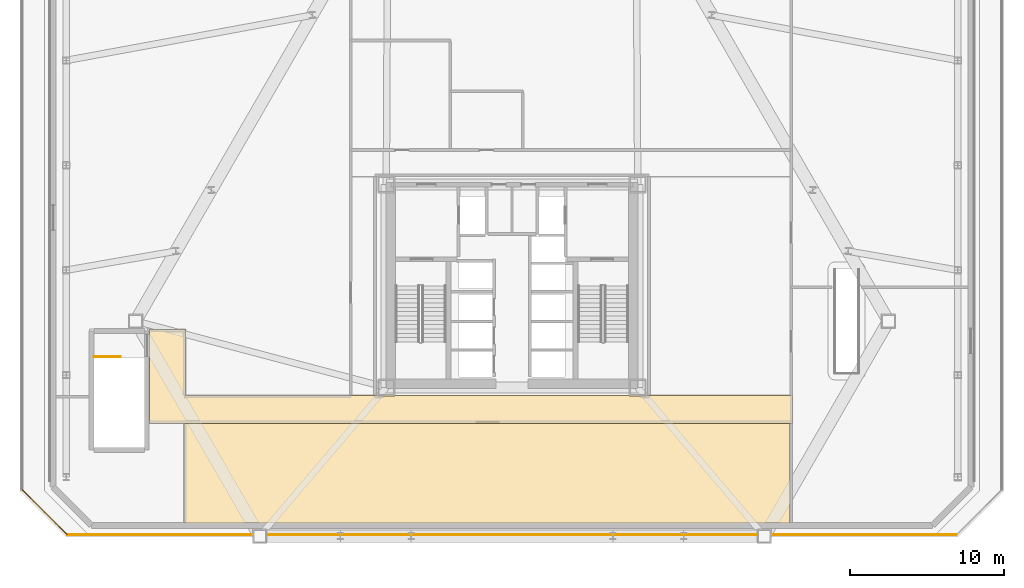
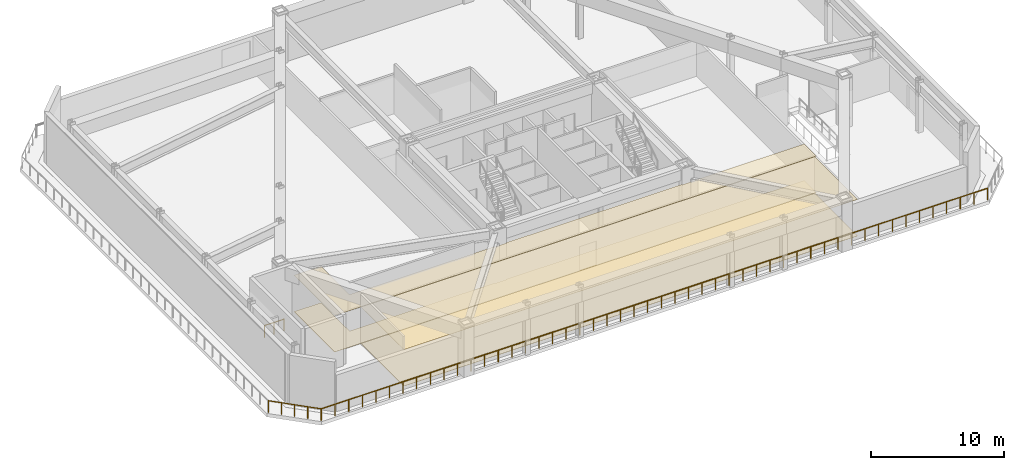
# One storey, part 5 of 10: 4 coverings, 3 railings.
"""IFC4 building model written with IfcOpenShell, lengths in metres."""

from ifc_helpers import new_model, si_unit, direction, frame, origin, origin_2d, place, context, subcontext, project, spatial, polyline, circle, outline, extrude, material, layer, layer_set, type_object, element, save


model = new_model("IFC4")

# Units and contexts
model_context = context("Model", 3, precision=1e-05, world=origin(), true_north=direction((0.0, 1.0)))
body_context = subcontext(model_context, "Body", "Model", "MODEL_VIEW")
ifc_project = project(units=[si_unit("LENGTHUNIT", "METRE"), si_unit("AREAUNIT", "SQUARE_METRE"), si_unit("VOLUMEUNIT", "CUBIC_METRE"), si_unit("PLANEANGLEUNIT", "RADIAN"), si_unit("MASSUNIT", "GRAM", prefix="KILO")], contexts=[model_context])

# Site, building, storey
site_placement = place(None, origin())
site = spatial("IfcSite", under=ifc_project, at=site_placement, CompositionType="ELEMENT")
building_placement = place(site_placement, origin())
building = spatial("IfcBuilding", under=site, at=building_placement, Name="Oramaril Tower", CompositionType="ELEMENT")
storey_placement = place(building_placement, frame((0.0, 0.0, 22.5)))
storey = spatial("IfcBuildingStorey", under=building, at=storey_placement, Name="L05", CompositionType="ELEMENT", Elevation=22.5)

# Coverings
ifc_material_1 = material(Name="Mineral Fibre Acoustic Ceiling")
ifc_layer_1 = layer(ifc_material_1, 0.02001953125)
ifc_layer_set_1 = layer_set([ifc_layer_1], Name="CVT-CEIL")
covering_type_1 = type_object("IfcCoveringType", Name="CVT-CEIL", PredefinedType="CEILING", material=ifc_layer_set_1)
covering_1_placement = place(storey_placement, frame((0.0, 0.0, 3.342041015625)))
element("IfcCovering", 1, at=covering_1_placement, inside=storey, type_object=covering_type_1, Name="L05 Acoustic Suspended Ceiling 1", PredefinedType="CEILING", context=body_context, shape_type="SweptSolid", body=[
    extrude(outline(polyline([(28.780029296875, 10.47998046875), (28.780029296875, 10.429931640625), (29.919921875, 10.429931640625), (29.919921875, 10.47998046875), (45.080078125, 10.47998046875), (45.080078125, 10.429931640625), (46.219970703125, 10.429931640625), (46.219970703125, 10.47998046875), (55.679931640625, 10.47998046875), (55.679931640625, 8.669921875), (14.0, 8.669921875), (14.0, 14.760009765625), (16.330078125, 14.760009765625), (16.330078125, 10.47998046875), (28.780029296875, 10.47998046875)])), origin(), (0.0, 0.0, 1.0), 0.02001953125),
])
covering_2_placement = place(storey_placement, frame((0.0, 0.0, 3.342041015625)))
element("IfcCovering", 2, at=covering_2_placement, inside=storey, type_object=covering_type_1, Name="L05 Acoustic Suspended Ceiling 8", PredefinedType="CEILING", context=body_context, shape_type="SweptSolid", body=[
    extrude(outline(polyline([(16.258056640625, 2.218017578125), (16.258056640625, 8.64990234375), (55.5380859375, 8.64990234375), (55.5380859375, 2.218017578125), (16.258056640625, 2.218017578125)])), origin(), (0.0, 0.0, 1.0), 0.02001953125),
])
ifc_material_2 = material(Name="Honed Quartzite Stone Flooring", Category="masonry")
ifc_layer_2 = layer(ifc_material_2, 0.02490234375)
ifc_layer_set_2 = layer_set([ifc_layer_2], Name="CVT-FLR")
covering_type_2 = type_object("IfcCoveringType", Name="CVT-FLR", PredefinedType="FLOORING", material=ifc_layer_set_2)
covering_3_placement = place(storey_placement, origin())
element("IfcCovering", 3, at=covering_3_placement, inside=storey, type_object=covering_type_2, Name="L05 Honed Stone Floor Finish 1", PredefinedType="FLOORING", context=body_context, shape_type="SweptSolid", body=[
    extrude(outline(polyline([(28.780029296875, 10.47998046875), (28.780029296875, 10.429931640625), (29.919921875, 10.429931640625), (29.919921875, 10.47998046875), (45.080078125, 10.47998046875), (45.080078125, 10.429931640625), (46.219970703125, 10.429931640625), (46.219970703125, 10.47998046875), (55.679931640625, 10.47998046875), (55.679931640625, 8.669921875), (14.0, 8.669921875), (14.0, 14.760009765625), (16.330078125, 14.760009765625), (16.330078125, 10.47998046875), (28.780029296875, 10.47998046875)])), origin(), (0.0, 0.0, 1.0), 0.02490234375),
])
covering_4_placement = place(storey_placement, origin())
element("IfcCovering", 4, at=covering_4_placement, inside=storey, type_object=covering_type_2, Name="L05 Honed Stone Floor Finish 8", PredefinedType="FLOORING", context=body_context, shape_type="SweptSolid", body=[
    extrude(outline(polyline([(16.258056640625, 2.218017578125), (16.258056640625, 8.64990234375), (55.5380859375, 8.64990234375), (55.5380859375, 2.218017578125), (16.258056640625, 2.218017578125)])), origin(), (0.0, 0.0, 1.0), 0.02490234375),
])

# Railings
ifc_material_3 = material(Name="Stainless Steel 316L", Category="steel")
railing_type = type_object("IfcRailingType", Name="RLT-GRD", PredefinedType="GUARDRAIL", material=ifc_material_3)
railing_1_placement = place(storey_placement, frame((8.68798828125, 1.43994140625, 0.0)))
element("IfcRailing", 5, at=railing_1_placement, inside=storey, type_object=railing_type, Name="L05 Podium Terrace Guardrail 01", PredefinedType="GUARDRAIL", context=body_context, shape_type="SweptSolid", body=[
    extrude(circle(Radius=0.02392578125, at=origin_2d()), frame((0.0, 0.0, 1.076171875), z_axis=(1.0, 0.0, 0.0), x_axis=(0.0, 1.0, 0.0)), (0.0, 0.0, 1.0), 57.6240234375),
    extrude(circle(Radius=0.02099609375, at=origin_2d()), origin(), (0.0, 0.0, 1.0), 1.052001953125),
    extrude(circle(Radius=0.02099609375, at=origin_2d()), frame((1.176025390625, 0.0, 0.0)), (0.0, 0.0, 1.0), 1.052001953125),
    extrude(circle(Radius=0.02099609375, at=origin_2d()), frame((2.35205078125, 0.0, 0.0)), (0.0, 0.0, 1.0), 1.052001953125),
    extrude(circle(Radius=0.02099609375, at=origin_2d()), frame((3.528076171875, 0.0, 0.0)), (0.0, 0.0, 1.0), 1.052001953125),
    extrude(circle(Radius=0.02099609375, at=origin_2d()), frame((4.7041015625, 0.0, 0.0)), (0.0, 0.0, 1.0), 1.052001953125),
    extrude(circle(Radius=0.02099609375, at=origin_2d()), frame((5.8798828125, 0.0, 0.0)), (0.0, 0.0, 1.0), 1.052001953125),
    extrude(circle(Radius=0.02099609375, at=origin_2d()), frame((7.055908203125, 0.0, 0.0)), (0.0, 0.0, 1.0), 1.052001953125),
    extrude(circle(Radius=0.02099609375, at=origin_2d()), frame((8.23193359375, 0.0, 0.0)), (0.0, 0.0, 1.0), 1.052001953125),
    extrude(circle(Radius=0.02099609375, at=origin_2d()), frame((9.407958984375, 0.0, 0.0)), (0.0, 0.0, 1.0), 1.052001953125),
    extrude(circle(Radius=0.02099609375, at=origin_2d()), frame((10.583984375, 0.0, 0.0)), (0.0, 0.0, 1.0), 1.052001953125),
    extrude(circle(Radius=0.02099609375, at=origin_2d()), frame((11.760009765625, 0.0, 0.0)), (0.0, 0.0, 1.0), 1.052001953125),
    extrude(circle(Radius=0.02099609375, at=origin_2d()), frame((12.93603515625, 0.0, 0.0)), (0.0, 0.0, 1.0), 1.052001953125),
    extrude(circle(Radius=0.02099609375, at=origin_2d()), frame((14.112060546875, 0.0, 0.0)), (0.0, 0.0, 1.0), 1.052001953125),
    extrude(circle(Radius=0.02099609375, at=origin_2d()), frame((15.2880859375, 0.0, 0.0)), (0.0, 0.0, 1.0), 1.052001953125),
    extrude(circle(Radius=0.02099609375, at=origin_2d()), frame((16.464111328125, 0.0, 0.0)), (0.0, 0.0, 1.0), 1.052001953125),
    extrude(circle(Radius=0.02099609375, at=origin_2d()), frame((17.639892578125, 0.0, 0.0)), (0.0, 0.0, 1.0), 1.052001953125),
    extrude(circle(Radius=0.02099609375, at=origin_2d()), frame((18.81591796875, 0.0, 0.0)), (0.0, 0.0, 1.0), 1.052001953125),
    extrude(circle(Radius=0.02099609375, at=origin_2d()), frame((19.991943359375, 0.0, 0.0)), (0.0, 0.0, 1.0), 1.052001953125),
    extrude(circle(Radius=0.02099609375, at=origin_2d()), frame((21.16796875, 0.0, 0.0)), (0.0, 0.0, 1.0), 1.052001953125),
    extrude(circle(Radius=0.02099609375, at=origin_2d()), frame((22.343994140625, 0.0, 0.0)), (0.0, 0.0, 1.0), 1.052001953125),
    extrude(circle(Radius=0.02099609375, at=origin_2d()), frame((23.52001953125, 0.0, 0.0)), (0.0, 0.0, 1.0), 1.052001953125),
    extrude(circle(Radius=0.02099609375, at=origin_2d()), frame((24.696044921875, 0.0, 0.0)), (0.0, 0.0, 1.0), 1.052001953125),
    extrude(circle(Radius=0.02099609375, at=origin_2d()), frame((25.8720703125, 0.0, 0.0)), (0.0, 0.0, 1.0), 1.052001953125),
    extrude(circle(Radius=0.02099609375, at=origin_2d()), frame((27.048095703125, 0.0, 0.0)), (0.0, 0.0, 1.0), 1.052001953125),
    extrude(circle(Radius=0.02099609375, at=origin_2d()), frame((28.22412109375, 0.0, 0.0)), (0.0, 0.0, 1.0), 1.052001953125),
    extrude(circle(Radius=0.02099609375, at=origin_2d()), frame((29.39990234375, 0.0, 0.0)), (0.0, 0.0, 1.0), 1.052001953125),
    extrude(circle(Radius=0.02099609375, at=origin_2d()), frame((30.575927734375, 0.0, 0.0)), (0.0, 0.0, 1.0), 1.052001953125),
    extrude(circle(Radius=0.02099609375, at=origin_2d()), frame((31.751953125, 0.0, 0.0)), (0.0, 0.0, 1.0), 1.052001953125),
    extrude(circle(Radius=0.02099609375, at=origin_2d()), frame((32.927978515625, 0.0, 0.0)), (0.0, 0.0, 1.0), 1.052001953125),
    extrude(circle(Radius=0.02099609375, at=origin_2d()), frame((34.10400390625, 0.0, 0.0)), (0.0, 0.0, 1.0), 1.052001953125),
    extrude(circle(Radius=0.02099609375, at=origin_2d()), frame((35.280029296875, 0.0, 0.0)), (0.0, 0.0, 1.0), 1.052001953125),
    extrude(circle(Radius=0.02099609375, at=origin_2d()), frame((36.4560546875, 0.0, 0.0)), (0.0, 0.0, 1.0), 1.052001953125),
    extrude(circle(Radius=0.02099609375, at=origin_2d()), frame((37.632080078125, 0.0, 0.0)), (0.0, 0.0, 1.0), 1.052001953125),
    extrude(circle(Radius=0.02099609375, at=origin_2d()), frame((38.80810546875, 0.0, 0.0)), (0.0, 0.0, 1.0), 1.052001953125),
    extrude(circle(Radius=0.02099609375, at=origin_2d()), frame((39.984130859375, 0.0, 0.0)), (0.0, 0.0, 1.0), 1.052001953125),
    extrude(circle(Radius=0.02099609375, at=origin_2d()), frame((41.159912109375, 0.0, 0.0)), (0.0, 0.0, 1.0), 1.052001953125),
    extrude(circle(Radius=0.02099609375, at=origin_2d()), frame((42.3359375, 0.0, 0.0)), (0.0, 0.0, 1.0), 1.052001953125),
    extrude(circle(Radius=0.02099609375, at=origin_2d()), frame((43.511962890625, 0.0, 0.0)), (0.0, 0.0, 1.0), 1.052001953125),
    extrude(circle(Radius=0.02099609375, at=origin_2d()), frame((44.68798828125, 0.0, 0.0)), (0.0, 0.0, 1.0), 1.052001953125),
    extrude(circle(Radius=0.02099609375, at=origin_2d()), frame((45.864013671875, 0.0, 0.0)), (0.0, 0.0, 1.0), 1.052001953125),
    extrude(circle(Radius=0.02099609375, at=origin_2d()), frame((47.0400390625, 0.0, 0.0)), (0.0, 0.0, 1.0), 1.052001953125),
    extrude(circle(Radius=0.02099609375, at=origin_2d()), frame((48.216064453125, 0.0, 0.0)), (0.0, 0.0, 1.0), 1.052001953125),
    extrude(circle(Radius=0.02099609375, at=origin_2d()), frame((49.39208984375, 0.0, 0.0)), (0.0, 0.0, 1.0), 1.052001953125),
    extrude(circle(Radius=0.02099609375, at=origin_2d()), frame((50.568115234375, 0.0, 0.0)), (0.0, 0.0, 1.0), 1.052001953125),
    extrude(circle(Radius=0.02099609375, at=origin_2d()), frame((51.744140625, 0.0, 0.0)), (0.0, 0.0, 1.0), 1.052001953125),
    extrude(circle(Radius=0.02099609375, at=origin_2d()), frame((52.919921875, 0.0, 0.0)), (0.0, 0.0, 1.0), 1.052001953125),
    extrude(circle(Radius=0.02099609375, at=origin_2d()), frame((54.095947265625, 0.0, 0.0)), (0.0, 0.0, 1.0), 1.052001953125),
    extrude(circle(Radius=0.02099609375, at=origin_2d()), frame((55.27197265625, 0.0, 0.0)), (0.0, 0.0, 1.0), 1.052001953125),
    extrude(circle(Radius=0.02099609375, at=origin_2d()), frame((56.447998046875, 0.0, 0.0)), (0.0, 0.0, 1.0), 1.052001953125),
    extrude(circle(Radius=0.02099609375, at=origin_2d()), frame((57.6240234375, 0.0, 0.0)), (0.0, 0.0, 1.0), 1.052001953125),
])
railing_2_placement = place(storey_placement, frame((5.76123046875, 4.3369140625, 0.0)))
element("IfcRailing", 6, at=railing_2_placement, inside=storey, type_object=railing_type, Name="L05 Podium Terrace Guardrail 08", PredefinedType="GUARDRAIL", context=body_context, shape_type="SweptSolid", body=[
    extrude(circle(Radius=0.02392578125, at=origin_2d()), frame((0.0, 0.0, 1.076171875), z_axis=(0.707076763706, -0.707136797393, 0.0), x_axis=(0.707136797393, 0.707076763706, 0.0)), (0.0, 0.0, 1.0), 4.066650390625),
    extrude(circle(Radius=0.02099609375, at=origin_2d()), origin(), (0.0, 0.0, 1.0), 1.052001953125),
    extrude(circle(Radius=0.02099609375, at=origin_2d()), frame((0.71875, -0.718994140625, 0.0)), (0.0, 0.0, 1.0), 1.052001953125),
    extrude(circle(Radius=0.02099609375, at=origin_2d()), frame((1.437744140625, -1.43798828125, 0.0)), (0.0, 0.0, 1.0), 1.052001953125),
    extrude(circle(Radius=0.02099609375, at=origin_2d()), frame((2.15673828125, -2.15673828125, 0.0)), (0.0, 0.0, 1.0), 1.052001953125),
    extrude(circle(Radius=0.02099609375, at=origin_2d()), frame((2.87548828125, -2.875732421875, 0.0)), (0.0, 0.0, 1.0), 1.052001953125),
])
railing_3_placement = place(storey_placement, frame((10.39990234375, 12.989990234375, 0.0)))
element("IfcRailing", 7, at=railing_3_placement, inside=storey, type_object=railing_type, Name="L05 ST-3 top well guard 1", PredefinedType="GUARDRAIL", context=body_context, shape_type="SweptSolid", body=[
    extrude(circle(Radius=0.02392578125, at=origin_2d()), frame((0.0, 0.0, 1.076171875), z_axis=(1.0, 0.0, 0.0), x_axis=(0.0, 1.0, 0.0)), (0.0, 0.0, 1.0), 1.710205078125),
    extrude(circle(Radius=0.02099609375, at=origin_2d()), origin(), (0.0, 0.0, 1.0), 1.052001953125),
    extrude(circle(Radius=0.02099609375, at=origin_2d()), frame((0.85498046875, 0.0, 0.0)), (0.0, 0.0, 1.0), 1.052001953125),
    extrude(circle(Radius=0.02099609375, at=origin_2d()), frame((1.710205078125, 0.0, 0.0)), (0.0, 0.0, 1.0), 1.052001953125),
])

save(model, "model.ifc")
